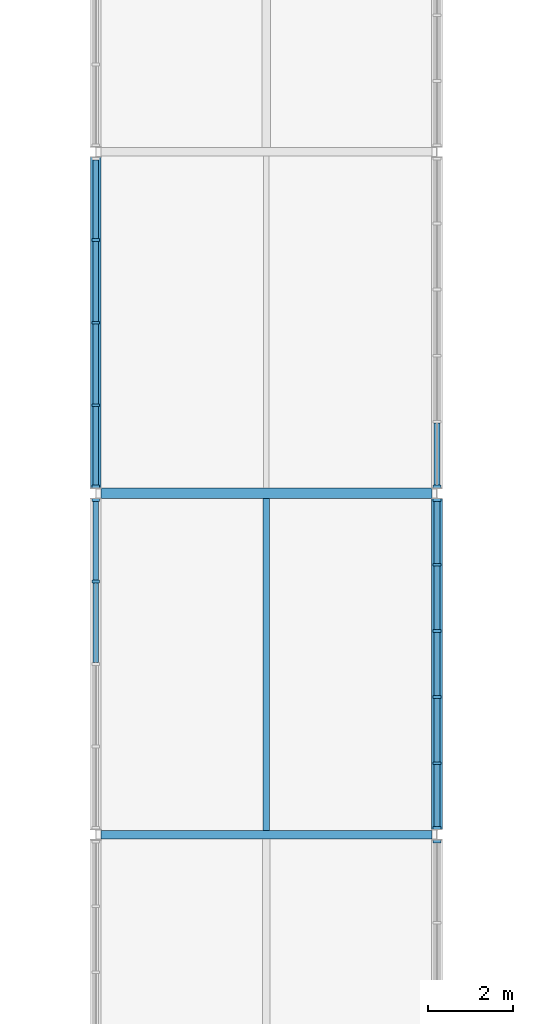
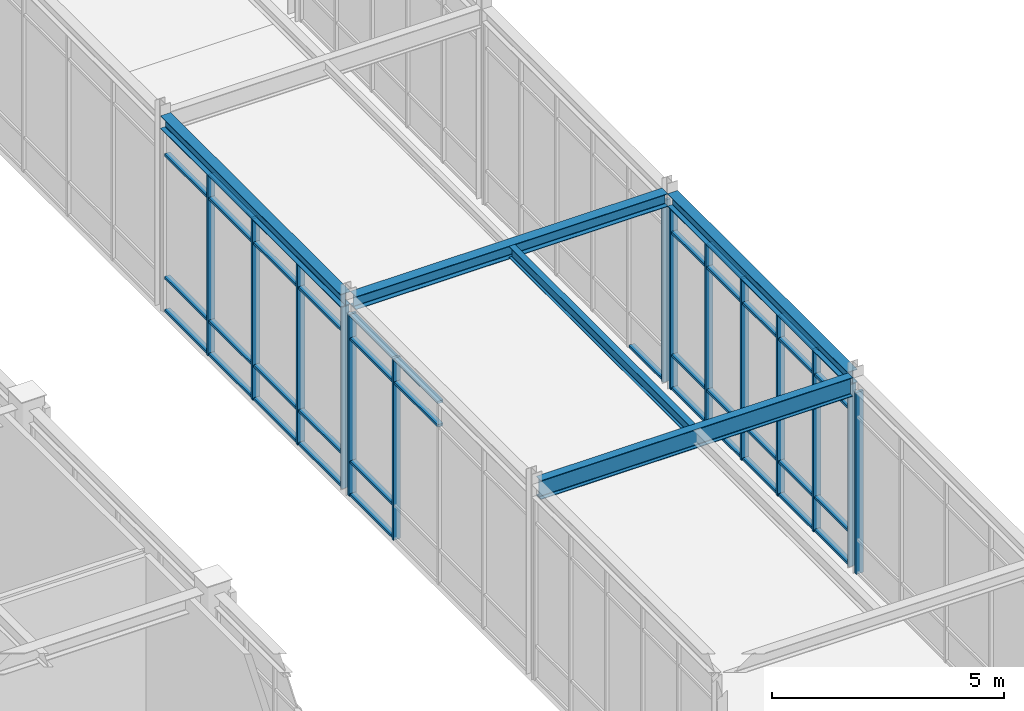
# One storey, part 31 of 108: 57 members, 5 beams, 5 elements without a shape of their own.
"""IFC4 building model written with IfcOpenShell, lengths in metres."""

from ifc_helpers import new_model, si_unit, direction, frame, origin, origin_2d, place, context, subcontext, project, spatial, rectangle, i_section, extrude, material, material_profile, profile_set, type_object, element, aggregate, save


model = new_model("IFC4")

# Units and contexts
model_context = context("Model", 3, precision=1e-05, world=origin(), true_north=direction((0.0, 1.0)))
body_context = subcontext(model_context, "Body", "Model", "MODEL_VIEW")
ifc_project = project(units=[si_unit("LENGTHUNIT", "METRE"), si_unit("AREAUNIT", "SQUARE_METRE"), si_unit("VOLUMEUNIT", "CUBIC_METRE"), si_unit("PLANEANGLEUNIT", "RADIAN"), si_unit("MASSUNIT", "GRAM", prefix="KILO")], contexts=[model_context])

# Site, building, storey
site_placement = place(None, origin())
site = spatial("IfcSite", under=ifc_project, at=site_placement, CompositionType="ELEMENT")
building_placement = place(site_placement, origin())
building = spatial("IfcBuilding", under=site, at=building_placement, Name="Zhaolan Boulevard Law Courts", CompositionType="ELEMENT")
storey_placement = place(building_placement, frame((0.0, 0.0, 10.800048828125)))
storey = spatial("IfcBuildingStorey", under=building, at=storey_placement, Name="L02", CompositionType="ELEMENT", Elevation=10.800048828125)

# Curtain wall, members
ifc_material_1 = material(Name="Thermally broken aluminium and low-E glazing", Category="aluminium")
curtain_wall_type_1 = type_object("IfcCurtainWallType", Name="CURTAIN WALL M21", PredefinedType="USERDEFINED", material=ifc_material_1)
curtain_wall_1_placement = place(storey_placement, origin())
curtain_wall_1 = element("IfcCurtainWall", 1, at=curtain_wall_1_placement, inside=storey, type_object=curtain_wall_type_1, Name="Curtain Wall CW-L02-093", ObjectType="CURTAIN WALL", PredefinedType="USERDEFINED")
ifc_material_2 = material(Name="Fluorocarbon-coated aluminium 6063-T6", Category="aluminium")
ifc_material_profile_1 = material_profile(ifc_material_2, rectangle(XDim=0.179931640625, YDim=0.06494140625, at=origin_2d()), Name="AL65x180")
ifc_profile_set_1 = profile_set([ifc_material_profile_1], Name="Fluorocarbon-coated aluminium 6063-T6")
member_type_1 = type_object("IfcMemberType", Name="CWMULLION 65X180", PredefinedType="MULLION", material=ifc_profile_set_1)
member_1_placement = place(storey_placement, frame((52.0, 45.840576171875, 0.0), z_axis=(0.0, 0.0, 1.0), x_axis=(1.0, 0.0, 0.0)))
member_1 = element("IfcMember", 2, at=member_1_placement, type_object=member_type_1, Name="CW-L02-093 mullion 1", PredefinedType="MULLION", context=body_context, shape_type="SweptSolid", body=[
    extrude(rectangle(XDim=0.179931640625, YDim=0.06494140625, at=origin_2d()), origin(), (0.0, 0.0, 1.0), 4.782958984375),
])
member_2_placement = place(storey_placement, frame((52.0, 43.9365234375, 0.0), z_axis=(0.0, 0.0, 1.0), x_axis=(1.0, 0.0, 0.0)))
member_2 = element("IfcMember", 3, at=member_2_placement, type_object=member_type_1, Name="CW-L02-093 mullion 2", PredefinedType="MULLION", context=body_context, shape_type="SweptSolid", body=[
    extrude(rectangle(XDim=0.179931640625, YDim=0.06494140625, at=origin_2d()), origin(), (0.0, 0.0, 1.0), 4.782958984375),
])

ifc_material_3 = material(Name="Thermally broken aluminium and low-E glazing", Category="aluminium")
curtain_wall_type_2 = type_object("IfcCurtainWallType", Name="CURTAIN WALL M22", PredefinedType="USERDEFINED", material=ifc_material_3)
curtain_wall_2_placement = place(storey_placement, origin())
curtain_wall_2 = element("IfcCurtainWall", 4, at=curtain_wall_2_placement, inside=storey, type_object=curtain_wall_type_2, Name="Curtain Wall CW-L02-094", ObjectType="CURTAIN WALL", PredefinedType="USERDEFINED")
member_3_placement = place(storey_placement, frame((52.0, 51.9365234375, 0.0), z_axis=(0.0, 0.0, 1.0), x_axis=(1.0, 0.0, 0.0)))
member_3 = element("IfcMember", 5, at=member_3_placement, type_object=member_type_1, Name="CW-L02-094 mullion 2", PredefinedType="MULLION", context=body_context, shape_type="SweptSolid", body=[
    extrude(rectangle(XDim=0.179931640625, YDim=0.06494140625, at=origin_2d()), origin(), (0.0, 0.0, 1.0), 4.782958984375),
])
member_4_placement = place(storey_placement, frame((52.0, 50.0, 0.0), z_axis=(0.0, 0.0, 1.0), x_axis=(1.0, 0.0, 0.0)))
member_4 = element("IfcMember", 6, at=member_4_placement, type_object=member_type_1, Name="CW-L02-094 mullion 3", PredefinedType="MULLION", context=body_context, shape_type="SweptSolid", body=[
    extrude(rectangle(XDim=0.179931640625, YDim=0.06494140625, at=origin_2d()), origin(), (0.0, 0.0, 1.0), 4.782958984375),
])
member_5_placement = place(storey_placement, frame((52.0, 48.0634765625, 0.0), z_axis=(0.0, 0.0, 1.0), x_axis=(1.0, 0.0, 0.0)))
member_5 = element("IfcMember", 7, at=member_5_placement, type_object=member_type_1, Name="CW-L02-094 mullion 4", PredefinedType="MULLION", context=body_context, shape_type="SweptSolid", body=[
    extrude(rectangle(XDim=0.179931640625, YDim=0.06494140625, at=origin_2d()), origin(), (0.0, 0.0, 1.0), 4.782958984375),
])
member_6_placement = place(storey_placement, frame((52.0, 46.159423828125, 0.0), z_axis=(0.0, 0.0, 1.0), x_axis=(1.0, 0.0, 0.0)))
member_6 = element("IfcMember", 8, at=member_6_placement, type_object=member_type_1, Name="CW-L02-094 mullion 5", PredefinedType="MULLION", context=body_context, shape_type="SweptSolid", body=[
    extrude(rectangle(XDim=0.179931640625, YDim=0.06494140625, at=origin_2d()), origin(), (0.0, 0.0, 1.0), 4.782958984375),
])

# Curtain wall, member
ifc_material_4 = material(Name="Thermally broken aluminium and low-E glazing", Category="aluminium")
curtain_wall_type_3 = type_object("IfcCurtainWallType", Name="CURTAIN WALL M24", PredefinedType="USERDEFINED", material=ifc_material_4)
curtain_wall_3_placement = place(storey_placement, origin())
curtain_wall_3 = element("IfcCurtainWall", 9, at=curtain_wall_3_placement, inside=storey, type_object=curtain_wall_type_3, Name="Curtain Wall CW-L02-096", ObjectType="CURTAIN WALL", PredefinedType="USERDEFINED")
member_7_placement = place(storey_placement, frame((60.0, 37.840576171875, 0.0), z_axis=(0.0, 0.0, 1.0), x_axis=(-1.0, 0.0, 0.0)))
member_7 = element("IfcMember", 10, at=member_7_placement, type_object=member_type_1, Name="CW-L02-096 mullion 5", PredefinedType="MULLION", context=body_context, shape_type="SweptSolid", body=[
    extrude(rectangle(XDim=0.179931640625, YDim=0.06494140625, at=origin_2d()), origin(), (0.0, 0.0, 1.0), 4.782958984375),
])
aggregate(curtain_wall_3, [member_7])

# Curtain wall, members
ifc_material_5 = material(Name="Thermally broken aluminium and low-E glazing", Category="aluminium")
curtain_wall_type_4 = type_object("IfcCurtainWallType", Name="CURTAIN WALL M1", PredefinedType="USERDEFINED", material=ifc_material_5)
curtain_wall_4_placement = place(storey_placement, origin())
curtain_wall_4 = element("IfcCurtainWall", 11, at=curtain_wall_4_placement, inside=storey, type_object=curtain_wall_type_4, Name="Curtain Wall CW-L02-097", ObjectType="CURTAIN WALL", PredefinedType="USERDEFINED")
member_8_placement = place(storey_placement, frame((60.0, 38.159423828125, 0.0), z_axis=(0.0, 0.0, 1.0), x_axis=(-1.0, 0.0, 0.0)))
member_8 = element("IfcMember", 12, at=member_8_placement, type_object=member_type_1, Name="CW-L02-097 mullion 1", PredefinedType="MULLION", context=body_context, shape_type="SweptSolid", body=[
    extrude(rectangle(XDim=0.179931640625, YDim=0.06494140625, at=origin_2d()), origin(), (0.0, 0.0, 1.0), 4.782958984375),
])
member_9_placement = place(storey_placement, frame((60.0, 39.67626953125, 0.0), z_axis=(0.0, 0.0, 1.0), x_axis=(-1.0, 0.0, 0.0)))
member_9 = element("IfcMember", 13, at=member_9_placement, type_object=member_type_1, Name="CW-L02-097 mullion 2", PredefinedType="MULLION", context=body_context, shape_type="SweptSolid", body=[
    extrude(rectangle(XDim=0.179931640625, YDim=0.06494140625, at=origin_2d()), origin(), (0.0, 0.0, 1.0), 4.782958984375),
])
member_10_placement = place(storey_placement, frame((60.0, 41.225341796875, 0.0), z_axis=(0.0, 0.0, 1.0), x_axis=(-1.0, 0.0, 0.0)))
member_10 = element("IfcMember", 14, at=member_10_placement, type_object=member_type_1, Name="CW-L02-097 mullion 3", PredefinedType="MULLION", context=body_context, shape_type="SweptSolid", body=[
    extrude(rectangle(XDim=0.179931640625, YDim=0.06494140625, at=origin_2d()), origin(), (0.0, 0.0, 1.0), 4.782958984375),
])
member_11_placement = place(storey_placement, frame((60.0, 42.774658203125, 0.0), z_axis=(0.0, 0.0, 1.0), x_axis=(-1.0, 0.0, 0.0)))
member_11 = element("IfcMember", 15, at=member_11_placement, type_object=member_type_1, Name="CW-L02-097 mullion 4", PredefinedType="MULLION", context=body_context, shape_type="SweptSolid", body=[
    extrude(rectangle(XDim=0.179931640625, YDim=0.06494140625, at=origin_2d()), origin(), (0.0, 0.0, 1.0), 4.782958984375),
])
member_12_placement = place(storey_placement, frame((60.0, 44.32373046875, 0.0), z_axis=(0.0, 0.0, 1.0), x_axis=(-1.0, 0.0, 0.0)))
member_12 = element("IfcMember", 16, at=member_12_placement, type_object=member_type_1, Name="CW-L02-097 mullion 5", PredefinedType="MULLION", context=body_context, shape_type="SweptSolid", body=[
    extrude(rectangle(XDim=0.179931640625, YDim=0.06494140625, at=origin_2d()), origin(), (0.0, 0.0, 1.0), 4.782958984375),
])
member_13_placement = place(storey_placement, frame((60.0, 45.840576171875, 0.0), z_axis=(0.0, 0.0, 1.0), x_axis=(-1.0, 0.0, 0.0)))
member_13 = element("IfcMember", 17, at=member_13_placement, type_object=member_type_1, Name="CW-L02-097 mullion 6", PredefinedType="MULLION", context=body_context, shape_type="SweptSolid", body=[
    extrude(rectangle(XDim=0.179931640625, YDim=0.06494140625, at=origin_2d()), origin(), (0.0, 0.0, 1.0), 4.782958984375),
])

# Curtain wall, member
ifc_material_6 = material(Name="Thermally broken aluminium and low-E glazing", Category="aluminium")
curtain_wall_type_5 = type_object("IfcCurtainWallType", Name="CURTAIN WALL M2", PredefinedType="USERDEFINED", material=ifc_material_6)
curtain_wall_5_placement = place(storey_placement, origin())
curtain_wall_5 = element("IfcCurtainWall", 18, at=curtain_wall_5_placement, inside=storey, type_object=curtain_wall_type_5, Name="Curtain Wall CW-L02-098", ObjectType="CURTAIN WALL", PredefinedType="USERDEFINED")
member_14_placement = place(storey_placement, frame((60.0, 46.159423828125, 0.0), z_axis=(0.0, 0.0, 1.0), x_axis=(-1.0, 0.0, 0.0)))
member_14 = element("IfcMember", 19, at=member_14_placement, type_object=member_type_1, Name="CW-L02-098 mullion 1", PredefinedType="MULLION", context=body_context, shape_type="SweptSolid", body=[
    extrude(rectangle(XDim=0.179931640625, YDim=0.06494140625, at=origin_2d()), origin(), (0.0, 0.0, 1.0), 4.782958984375),
])

# Member
ifc_material_7 = material(Name="Fluorocarbon-coated aluminium 6063-T6", Category="aluminium")
ifc_material_profile_2 = material_profile(ifc_material_7, rectangle(XDim=0.139892578125, YDim=0.06494140625, at=origin_2d()), Name="AL65x140")
ifc_profile_set_2 = profile_set([ifc_material_profile_2], Name="Fluorocarbon-coated aluminium 6063-T6")
member_type_2 = type_object("IfcMemberType", Name="CWTRANSOM 65X140", PredefinedType="USERDEFINED", material=ifc_profile_set_2)
member_15_placement = place(storey_placement, frame((52.0, 45.80810546875, 0.032470703125), z_axis=(0.0, -1.0, 0.0), x_axis=(1.0, 0.0, 0.0)))
member_15 = element("IfcMember", 20, at=member_15_placement, type_object=member_type_2, Name="CW-L02-093 transom 1.1", ObjectType="TRANSOM", PredefinedType="USERDEFINED", context=body_context, shape_type="SweptSolid", body=[
    extrude(rectangle(XDim=0.139892578125, YDim=0.06494140625, at=origin_2d()), origin(), (0.0, 0.0, 1.0), 1.839111328125),
])

member_16_placement = place(storey_placement, frame((52.0, 45.80810546875, 0.89990234375), z_axis=(0.0, -1.0, 0.0), x_axis=(1.0, 0.0, 0.0)))
member_16 = element("IfcMember", 21, at=member_16_placement, type_object=member_type_2, Name="CW-L02-093 transom 1.2", ObjectType="TRANSOM", PredefinedType="USERDEFINED", context=body_context, shape_type="SweptSolid", body=[
    extrude(rectangle(XDim=0.139892578125, YDim=0.06494140625, at=origin_2d()), origin(), (0.0, 0.0, 1.0), 1.839111328125),
])

member_17_placement = place(storey_placement, frame((52.0, 45.80810546875, 4.133056640625), z_axis=(0.0, -1.0, 0.0), x_axis=(1.0, 0.0, 0.0)))
member_17 = element("IfcMember", 22, at=member_17_placement, type_object=member_type_2, Name="CW-L02-093 transom 1.3", ObjectType="TRANSOM", PredefinedType="USERDEFINED", context=body_context, shape_type="SweptSolid", body=[
    extrude(rectangle(XDim=0.139892578125, YDim=0.06494140625, at=origin_2d()), origin(), (0.0, 0.0, 1.0), 1.839111328125),
])

member_18_placement = place(storey_placement, frame((52.0, 45.80810546875, 4.75048828125), z_axis=(0.0, -1.0, 0.0), x_axis=(1.0, 0.0, 0.0)))
member_18 = element("IfcMember", 23, at=member_18_placement, type_object=member_type_2, Name="CW-L02-093 transom 1.4", ObjectType="TRANSOM", PredefinedType="USERDEFINED", context=body_context, shape_type="SweptSolid", body=[
    extrude(rectangle(XDim=0.139892578125, YDim=0.06494140625, at=origin_2d()), origin(), (0.0, 0.0, 1.0), 1.839111328125),
])

member_19_placement = place(storey_placement, frame((52.0, 43.904052734375, 4.133056640625), z_axis=(0.0, -1.0, 0.0), x_axis=(1.0, 0.0, 0.0)))
member_19 = element("IfcMember", 24, at=member_19_placement, type_object=member_type_2, Name="CW-L02-093 transom 2.3", ObjectType="TRANSOM", PredefinedType="USERDEFINED", context=body_context, shape_type="SweptSolid", body=[
    extrude(rectangle(XDim=0.139892578125, YDim=0.06494140625, at=origin_2d()), origin(), (0.0, 0.0, 1.0), 1.87158203125),
])

member_20_placement = place(storey_placement, frame((52.0, 43.904052734375, 4.75048828125), z_axis=(0.0, -1.0, 0.0), x_axis=(1.0, 0.0, 0.0)))
member_20 = element("IfcMember", 25, at=member_20_placement, type_object=member_type_2, Name="CW-L02-093 transom 2.4", ObjectType="TRANSOM", PredefinedType="USERDEFINED", context=body_context, shape_type="SweptSolid", body=[
    extrude(rectangle(XDim=0.139892578125, YDim=0.06494140625, at=origin_2d()), origin(), (0.0, 0.0, 1.0), 1.87158203125),
])

aggregate(curtain_wall_1, [member_1, member_2, member_15, member_16, member_17, member_18, member_19, member_20])

member_21_placement = place(storey_placement, frame((52.0, 53.80810546875, 0.032470703125), z_axis=(0.0, -1.0, 0.0), x_axis=(1.0, 0.0, 0.0)))
member_21 = element("IfcMember", 26, at=member_21_placement, type_object=member_type_2, Name="CW-L02-094 transom 1.1", ObjectType="TRANSOM", PredefinedType="USERDEFINED", context=body_context, shape_type="SweptSolid", body=[
    extrude(rectangle(XDim=0.139892578125, YDim=0.06494140625, at=origin_2d()), origin(), (0.0, 0.0, 1.0), 1.839111328125),
])

member_22_placement = place(storey_placement, frame((52.0, 53.80810546875, 0.89990234375), z_axis=(0.0, -1.0, 0.0), x_axis=(1.0, 0.0, 0.0)))
member_22 = element("IfcMember", 27, at=member_22_placement, type_object=member_type_2, Name="CW-L02-094 transom 1.2", ObjectType="TRANSOM", PredefinedType="USERDEFINED", context=body_context, shape_type="SweptSolid", body=[
    extrude(rectangle(XDim=0.139892578125, YDim=0.06494140625, at=origin_2d()), origin(), (0.0, 0.0, 1.0), 1.839111328125),
])

member_23_placement = place(storey_placement, frame((52.0, 53.80810546875, 4.133056640625), z_axis=(0.0, -1.0, 0.0), x_axis=(1.0, 0.0, 0.0)))
member_23 = element("IfcMember", 28, at=member_23_placement, type_object=member_type_2, Name="CW-L02-094 transom 1.3", ObjectType="TRANSOM", PredefinedType="USERDEFINED", context=body_context, shape_type="SweptSolid", body=[
    extrude(rectangle(XDim=0.139892578125, YDim=0.06494140625, at=origin_2d()), origin(), (0.0, 0.0, 1.0), 1.839111328125),
])

member_24_placement = place(storey_placement, frame((52.0, 53.80810546875, 4.75048828125), z_axis=(0.0, -1.0, 0.0), x_axis=(1.0, 0.0, 0.0)))
member_24 = element("IfcMember", 29, at=member_24_placement, type_object=member_type_2, Name="CW-L02-094 transom 1.4", ObjectType="TRANSOM", PredefinedType="USERDEFINED", context=body_context, shape_type="SweptSolid", body=[
    extrude(rectangle(XDim=0.139892578125, YDim=0.06494140625, at=origin_2d()), origin(), (0.0, 0.0, 1.0), 1.839111328125),
])

member_25_placement = place(storey_placement, frame((52.0, 51.904052734375, 0.032470703125), z_axis=(0.0, -1.0, 0.0), x_axis=(1.0, 0.0, 0.0)))
member_25 = element("IfcMember", 30, at=member_25_placement, type_object=member_type_2, Name="CW-L02-094 transom 2.1", ObjectType="TRANSOM", PredefinedType="USERDEFINED", context=body_context, shape_type="SweptSolid", body=[
    extrude(rectangle(XDim=0.139892578125, YDim=0.06494140625, at=origin_2d()), origin(), (0.0, 0.0, 1.0), 1.87158203125),
])

member_26_placement = place(storey_placement, frame((52.0, 51.904052734375, 0.89990234375), z_axis=(0.0, -1.0, 0.0), x_axis=(1.0, 0.0, 0.0)))
member_26 = element("IfcMember", 31, at=member_26_placement, type_object=member_type_2, Name="CW-L02-094 transom 2.2", ObjectType="TRANSOM", PredefinedType="USERDEFINED", context=body_context, shape_type="SweptSolid", body=[
    extrude(rectangle(XDim=0.139892578125, YDim=0.06494140625, at=origin_2d()), origin(), (0.0, 0.0, 1.0), 1.87158203125),
])

member_27_placement = place(storey_placement, frame((52.0, 51.904052734375, 4.133056640625), z_axis=(0.0, -1.0, 0.0), x_axis=(1.0, 0.0, 0.0)))
member_27 = element("IfcMember", 32, at=member_27_placement, type_object=member_type_2, Name="CW-L02-094 transom 2.3", ObjectType="TRANSOM", PredefinedType="USERDEFINED", context=body_context, shape_type="SweptSolid", body=[
    extrude(rectangle(XDim=0.139892578125, YDim=0.06494140625, at=origin_2d()), origin(), (0.0, 0.0, 1.0), 1.87158203125),
])

member_28_placement = place(storey_placement, frame((52.0, 51.904052734375, 4.75048828125), z_axis=(0.0, -1.0, 0.0), x_axis=(1.0, 0.0, 0.0)))
member_28 = element("IfcMember", 33, at=member_28_placement, type_object=member_type_2, Name="CW-L02-094 transom 2.4", ObjectType="TRANSOM", PredefinedType="USERDEFINED", context=body_context, shape_type="SweptSolid", body=[
    extrude(rectangle(XDim=0.139892578125, YDim=0.06494140625, at=origin_2d()), origin(), (0.0, 0.0, 1.0), 1.87158203125),
])

member_29_placement = place(storey_placement, frame((52.0, 49.967529296875, 0.032470703125), z_axis=(0.0, -1.0, 0.0), x_axis=(1.0, 0.0, 0.0)))
member_29 = element("IfcMember", 34, at=member_29_placement, type_object=member_type_2, Name="CW-L02-094 transom 3.1", ObjectType="TRANSOM", PredefinedType="USERDEFINED", context=body_context, shape_type="SweptSolid", body=[
    extrude(rectangle(XDim=0.139892578125, YDim=0.06494140625, at=origin_2d()), origin(), (0.0, 0.0, 1.0), 1.87158203125),
])

member_30_placement = place(storey_placement, frame((52.0, 49.967529296875, 0.89990234375), z_axis=(0.0, -1.0, 0.0), x_axis=(1.0, 0.0, 0.0)))
member_30 = element("IfcMember", 35, at=member_30_placement, type_object=member_type_2, Name="CW-L02-094 transom 3.2", ObjectType="TRANSOM", PredefinedType="USERDEFINED", context=body_context, shape_type="SweptSolid", body=[
    extrude(rectangle(XDim=0.139892578125, YDim=0.06494140625, at=origin_2d()), origin(), (0.0, 0.0, 1.0), 1.87158203125),
])

member_31_placement = place(storey_placement, frame((52.0, 49.967529296875, 4.133056640625), z_axis=(0.0, -1.0, 0.0), x_axis=(1.0, 0.0, 0.0)))
member_31 = element("IfcMember", 36, at=member_31_placement, type_object=member_type_2, Name="CW-L02-094 transom 3.3", ObjectType="TRANSOM", PredefinedType="USERDEFINED", context=body_context, shape_type="SweptSolid", body=[
    extrude(rectangle(XDim=0.139892578125, YDim=0.06494140625, at=origin_2d()), origin(), (0.0, 0.0, 1.0), 1.87158203125),
])

member_32_placement = place(storey_placement, frame((52.0, 49.967529296875, 4.75048828125), z_axis=(0.0, -1.0, 0.0), x_axis=(1.0, 0.0, 0.0)))
member_32 = element("IfcMember", 37, at=member_32_placement, type_object=member_type_2, Name="CW-L02-094 transom 3.4", ObjectType="TRANSOM", PredefinedType="USERDEFINED", context=body_context, shape_type="SweptSolid", body=[
    extrude(rectangle(XDim=0.139892578125, YDim=0.06494140625, at=origin_2d()), origin(), (0.0, 0.0, 1.0), 1.87158203125),
])

member_33_placement = place(storey_placement, frame((52.0, 48.031005859375, 0.032470703125), z_axis=(0.0, -1.0, 0.0), x_axis=(1.0, 0.0, 0.0)))
member_33 = element("IfcMember", 38, at=member_33_placement, type_object=member_type_2, Name="CW-L02-094 transom 4.1", ObjectType="TRANSOM", PredefinedType="USERDEFINED", context=body_context, shape_type="SweptSolid", body=[
    extrude(rectangle(XDim=0.139892578125, YDim=0.06494140625, at=origin_2d()), origin(), (0.0, 0.0, 1.0), 1.839111328125),
])

member_34_placement = place(storey_placement, frame((52.0, 48.031005859375, 0.89990234375), z_axis=(0.0, -1.0, 0.0), x_axis=(1.0, 0.0, 0.0)))
member_34 = element("IfcMember", 39, at=member_34_placement, type_object=member_type_2, Name="CW-L02-094 transom 4.2", ObjectType="TRANSOM", PredefinedType="USERDEFINED", context=body_context, shape_type="SweptSolid", body=[
    extrude(rectangle(XDim=0.139892578125, YDim=0.06494140625, at=origin_2d()), origin(), (0.0, 0.0, 1.0), 1.839111328125),
])

member_35_placement = place(storey_placement, frame((52.0, 48.031005859375, 4.133056640625), z_axis=(0.0, -1.0, 0.0), x_axis=(1.0, 0.0, 0.0)))
member_35 = element("IfcMember", 40, at=member_35_placement, type_object=member_type_2, Name="CW-L02-094 transom 4.3", ObjectType="TRANSOM", PredefinedType="USERDEFINED", context=body_context, shape_type="SweptSolid", body=[
    extrude(rectangle(XDim=0.139892578125, YDim=0.06494140625, at=origin_2d()), origin(), (0.0, 0.0, 1.0), 1.839111328125),
])

member_36_placement = place(storey_placement, frame((52.0, 48.031005859375, 4.75048828125), z_axis=(0.0, -1.0, 0.0), x_axis=(1.0, 0.0, 0.0)))
member_36 = element("IfcMember", 41, at=member_36_placement, type_object=member_type_2, Name="CW-L02-094 transom 4.4", ObjectType="TRANSOM", PredefinedType="USERDEFINED", context=body_context, shape_type="SweptSolid", body=[
    extrude(rectangle(XDim=0.139892578125, YDim=0.06494140625, at=origin_2d()), origin(), (0.0, 0.0, 1.0), 1.839111328125),
])

aggregate(curtain_wall_2, [member_3, member_4, member_5, member_6, member_21, member_22, member_23, member_24, member_25, member_26, member_27, member_28, member_29, member_30, member_31, member_32, member_33, member_34, member_35, member_36])

member_37_placement = place(storey_placement, frame((60.0, 38.19189453125, 0.032470703125), z_axis=(0.0, 1.0, 0.0), x_axis=(-1.0, 0.0, 0.0)))
member_37 = element("IfcMember", 42, at=member_37_placement, type_object=member_type_2, Name="CW-L02-097 transom 1.1", ObjectType="TRANSOM", PredefinedType="USERDEFINED", context=body_context, shape_type="SweptSolid", body=[
    extrude(rectangle(XDim=0.139892578125, YDim=0.06494140625, at=origin_2d()), origin(), (0.0, 0.0, 1.0), 1.451904296875),
])

member_38_placement = place(storey_placement, frame((60.0, 38.19189453125, 0.89990234375), z_axis=(0.0, 1.0, 0.0), x_axis=(-1.0, 0.0, 0.0)))
member_38 = element("IfcMember", 43, at=member_38_placement, type_object=member_type_2, Name="CW-L02-097 transom 1.2", ObjectType="TRANSOM", PredefinedType="USERDEFINED", context=body_context, shape_type="SweptSolid", body=[
    extrude(rectangle(XDim=0.139892578125, YDim=0.06494140625, at=origin_2d()), origin(), (0.0, 0.0, 1.0), 1.451904296875),
])

member_39_placement = place(storey_placement, frame((60.0, 38.19189453125, 4.133056640625), z_axis=(0.0, 1.0, 0.0), x_axis=(-1.0, 0.0, 0.0)))
member_39 = element("IfcMember", 44, at=member_39_placement, type_object=member_type_2, Name="CW-L02-097 transom 1.3", ObjectType="TRANSOM", PredefinedType="USERDEFINED", context=body_context, shape_type="SweptSolid", body=[
    extrude(rectangle(XDim=0.139892578125, YDim=0.06494140625, at=origin_2d()), origin(), (0.0, 0.0, 1.0), 1.451904296875),
])

member_40_placement = place(storey_placement, frame((60.0, 38.19189453125, 4.75048828125), z_axis=(0.0, 1.0, 0.0), x_axis=(-1.0, 0.0, 0.0)))
member_40 = element("IfcMember", 45, at=member_40_placement, type_object=member_type_2, Name="CW-L02-097 transom 1.4", ObjectType="TRANSOM", PredefinedType="USERDEFINED", context=body_context, shape_type="SweptSolid", body=[
    extrude(rectangle(XDim=0.139892578125, YDim=0.06494140625, at=origin_2d()), origin(), (0.0, 0.0, 1.0), 1.451904296875),
])

member_41_placement = place(storey_placement, frame((60.0, 39.708740234375, 0.032470703125), z_axis=(0.0, 1.0, 0.0), x_axis=(-1.0, 0.0, 0.0)))
member_41 = element("IfcMember", 46, at=member_41_placement, type_object=member_type_2, Name="CW-L02-097 transom 2.1", ObjectType="TRANSOM", PredefinedType="USERDEFINED", context=body_context, shape_type="SweptSolid", body=[
    extrude(rectangle(XDim=0.139892578125, YDim=0.06494140625, at=origin_2d()), origin(), (0.0, 0.0, 1.0), 1.484130859375),
])

member_42_placement = place(storey_placement, frame((60.0, 39.708740234375, 0.89990234375), z_axis=(0.0, 1.0, 0.0), x_axis=(-1.0, 0.0, 0.0)))
member_42 = element("IfcMember", 47, at=member_42_placement, type_object=member_type_2, Name="CW-L02-097 transom 2.2", ObjectType="TRANSOM", PredefinedType="USERDEFINED", context=body_context, shape_type="SweptSolid", body=[
    extrude(rectangle(XDim=0.139892578125, YDim=0.06494140625, at=origin_2d()), origin(), (0.0, 0.0, 1.0), 1.484130859375),
])

member_43_placement = place(storey_placement, frame((60.0, 39.708740234375, 4.133056640625), z_axis=(0.0, 1.0, 0.0), x_axis=(-1.0, 0.0, 0.0)))
member_43 = element("IfcMember", 48, at=member_43_placement, type_object=member_type_2, Name="CW-L02-097 transom 2.3", ObjectType="TRANSOM", PredefinedType="USERDEFINED", context=body_context, shape_type="SweptSolid", body=[
    extrude(rectangle(XDim=0.139892578125, YDim=0.06494140625, at=origin_2d()), origin(), (0.0, 0.0, 1.0), 1.484130859375),
])

member_44_placement = place(storey_placement, frame((60.0, 39.708740234375, 4.75048828125), z_axis=(0.0, 1.0, 0.0), x_axis=(-1.0, 0.0, 0.0)))
member_44 = element("IfcMember", 49, at=member_44_placement, type_object=member_type_2, Name="CW-L02-097 transom 2.4", ObjectType="TRANSOM", PredefinedType="USERDEFINED", context=body_context, shape_type="SweptSolid", body=[
    extrude(rectangle(XDim=0.139892578125, YDim=0.06494140625, at=origin_2d()), origin(), (0.0, 0.0, 1.0), 1.484130859375),
])

member_45_placement = place(storey_placement, frame((60.0, 41.2578125, 0.032470703125), z_axis=(0.0, 1.0, 0.0), x_axis=(-1.0, 0.0, 0.0)))
member_45 = element("IfcMember", 50, at=member_45_placement, type_object=member_type_2, Name="CW-L02-097 transom 3.1", ObjectType="TRANSOM", PredefinedType="USERDEFINED", context=body_context, shape_type="SweptSolid", body=[
    extrude(rectangle(XDim=0.139892578125, YDim=0.06494140625, at=origin_2d()), origin(), (0.0, 0.0, 1.0), 1.484375),
])

member_46_placement = place(storey_placement, frame((60.0, 41.2578125, 0.89990234375), z_axis=(0.0, 1.0, 0.0), x_axis=(-1.0, 0.0, 0.0)))
member_46 = element("IfcMember", 51, at=member_46_placement, type_object=member_type_2, Name="CW-L02-097 transom 3.2", ObjectType="TRANSOM", PredefinedType="USERDEFINED", context=body_context, shape_type="SweptSolid", body=[
    extrude(rectangle(XDim=0.139892578125, YDim=0.06494140625, at=origin_2d()), origin(), (0.0, 0.0, 1.0), 1.484375),
])

member_47_placement = place(storey_placement, frame((60.0, 41.2578125, 4.133056640625), z_axis=(0.0, 1.0, 0.0), x_axis=(-1.0, 0.0, 0.0)))
member_47 = element("IfcMember", 52, at=member_47_placement, type_object=member_type_2, Name="CW-L02-097 transom 3.3", ObjectType="TRANSOM", PredefinedType="USERDEFINED", context=body_context, shape_type="SweptSolid", body=[
    extrude(rectangle(XDim=0.139892578125, YDim=0.06494140625, at=origin_2d()), origin(), (0.0, 0.0, 1.0), 1.484375),
])

member_48_placement = place(storey_placement, frame((60.0, 41.2578125, 4.75048828125), z_axis=(0.0, 1.0, 0.0), x_axis=(-1.0, 0.0, 0.0)))
member_48 = element("IfcMember", 53, at=member_48_placement, type_object=member_type_2, Name="CW-L02-097 transom 3.4", ObjectType="TRANSOM", PredefinedType="USERDEFINED", context=body_context, shape_type="SweptSolid", body=[
    extrude(rectangle(XDim=0.139892578125, YDim=0.06494140625, at=origin_2d()), origin(), (0.0, 0.0, 1.0), 1.484375),
])

member_49_placement = place(storey_placement, frame((60.0, 42.80712890625, 0.032470703125), z_axis=(0.0, 1.0, 0.0), x_axis=(-1.0, 0.0, 0.0)))
member_49 = element("IfcMember", 54, at=member_49_placement, type_object=member_type_2, Name="CW-L02-097 transom 4.1", ObjectType="TRANSOM", PredefinedType="USERDEFINED", context=body_context, shape_type="SweptSolid", body=[
    extrude(rectangle(XDim=0.139892578125, YDim=0.06494140625, at=origin_2d()), origin(), (0.0, 0.0, 1.0), 1.484130859375),
])

member_50_placement = place(storey_placement, frame((60.0, 42.80712890625, 0.89990234375), z_axis=(0.0, 1.0, 0.0), x_axis=(-1.0, 0.0, 0.0)))
member_50 = element("IfcMember", 55, at=member_50_placement, type_object=member_type_2, Name="CW-L02-097 transom 4.2", ObjectType="TRANSOM", PredefinedType="USERDEFINED", context=body_context, shape_type="SweptSolid", body=[
    extrude(rectangle(XDim=0.139892578125, YDim=0.06494140625, at=origin_2d()), origin(), (0.0, 0.0, 1.0), 1.484130859375),
])

member_51_placement = place(storey_placement, frame((60.0, 42.80712890625, 4.133056640625), z_axis=(0.0, 1.0, 0.0), x_axis=(-1.0, 0.0, 0.0)))
member_51 = element("IfcMember", 56, at=member_51_placement, type_object=member_type_2, Name="CW-L02-097 transom 4.3", ObjectType="TRANSOM", PredefinedType="USERDEFINED", context=body_context, shape_type="SweptSolid", body=[
    extrude(rectangle(XDim=0.139892578125, YDim=0.06494140625, at=origin_2d()), origin(), (0.0, 0.0, 1.0), 1.484130859375),
])

member_52_placement = place(storey_placement, frame((60.0, 42.80712890625, 4.75048828125), z_axis=(0.0, 1.0, 0.0), x_axis=(-1.0, 0.0, 0.0)))
member_52 = element("IfcMember", 57, at=member_52_placement, type_object=member_type_2, Name="CW-L02-097 transom 4.4", ObjectType="TRANSOM", PredefinedType="USERDEFINED", context=body_context, shape_type="SweptSolid", body=[
    extrude(rectangle(XDim=0.139892578125, YDim=0.06494140625, at=origin_2d()), origin(), (0.0, 0.0, 1.0), 1.484130859375),
])

member_53_placement = place(storey_placement, frame((60.0, 44.356201171875, 0.032470703125), z_axis=(0.0, 1.0, 0.0), x_axis=(-1.0, 0.0, 0.0)))
member_53 = element("IfcMember", 58, at=member_53_placement, type_object=member_type_2, Name="CW-L02-097 transom 5.1", ObjectType="TRANSOM", PredefinedType="USERDEFINED", context=body_context, shape_type="SweptSolid", body=[
    extrude(rectangle(XDim=0.139892578125, YDim=0.06494140625, at=origin_2d()), origin(), (0.0, 0.0, 1.0), 1.451904296875),
])

member_54_placement = place(storey_placement, frame((60.0, 44.356201171875, 0.89990234375), z_axis=(0.0, 1.0, 0.0), x_axis=(-1.0, 0.0, 0.0)))
member_54 = element("IfcMember", 59, at=member_54_placement, type_object=member_type_2, Name="CW-L02-097 transom 5.2", ObjectType="TRANSOM", PredefinedType="USERDEFINED", context=body_context, shape_type="SweptSolid", body=[
    extrude(rectangle(XDim=0.139892578125, YDim=0.06494140625, at=origin_2d()), origin(), (0.0, 0.0, 1.0), 1.451904296875),
])

member_55_placement = place(storey_placement, frame((60.0, 44.356201171875, 4.133056640625), z_axis=(0.0, 1.0, 0.0), x_axis=(-1.0, 0.0, 0.0)))
member_55 = element("IfcMember", 60, at=member_55_placement, type_object=member_type_2, Name="CW-L02-097 transom 5.3", ObjectType="TRANSOM", PredefinedType="USERDEFINED", context=body_context, shape_type="SweptSolid", body=[
    extrude(rectangle(XDim=0.139892578125, YDim=0.06494140625, at=origin_2d()), origin(), (0.0, 0.0, 1.0), 1.451904296875),
])

member_56_placement = place(storey_placement, frame((60.0, 44.356201171875, 4.75048828125), z_axis=(0.0, 1.0, 0.0), x_axis=(-1.0, 0.0, 0.0)))
member_56 = element("IfcMember", 61, at=member_56_placement, type_object=member_type_2, Name="CW-L02-097 transom 5.4", ObjectType="TRANSOM", PredefinedType="USERDEFINED", context=body_context, shape_type="SweptSolid", body=[
    extrude(rectangle(XDim=0.139892578125, YDim=0.06494140625, at=origin_2d()), origin(), (0.0, 0.0, 1.0), 1.451904296875),
])

aggregate(curtain_wall_4, [member_8, member_9, member_10, member_11, member_12, member_13, member_37, member_38, member_39, member_40, member_41, member_42, member_43, member_44, member_45, member_46, member_47, member_48, member_49, member_50, member_51, member_52, member_53, member_54, member_55, member_56])

member_57_placement = place(storey_placement, frame((60.0, 46.19189453125, 0.032470703125), z_axis=(0.0, 1.0, 0.0), x_axis=(-1.0, 0.0, 0.0)))
member_57 = element("IfcMember", 62, at=member_57_placement, type_object=member_type_2, Name="CW-L02-098 transom 1.1", ObjectType="TRANSOM", PredefinedType="USERDEFINED", context=body_context, shape_type="SweptSolid", body=[
    extrude(rectangle(XDim=0.139892578125, YDim=0.06494140625, at=origin_2d()), origin(), (0.0, 0.0, 1.0), 1.451904296875),
])

aggregate(curtain_wall_5, [member_14, member_57])

# Beams
ifc_material_8 = material(Name="Structural steel Q355B", Category="steel")
ifc_material_profile_3 = material_profile(ifc_material_8, i_section(OverallWidth=0.25, OverallDepth=0.340087890625, WebThickness=0.009033203125, FlangeThickness=0.013916015625, FilletRadius=0.01611328125, at=origin_2d()), Name="HM340x250")
ifc_profile_set_3 = profile_set([ifc_material_profile_3], Name="Structural steel Q355B")
beam_type_1 = type_object("IfcBeamType", Name="GIRDER HM340", PredefinedType="BEAM", material=ifc_profile_set_3)
for number, where, z_axis, x_axis, name in (
    (63, (52.0, 46.12109375, 4.968017578125), (0.0, 1.0, 0.0), (-1.0, 0.0, 0.0), "Beam BY-L03-7-G-H"),
    (64, (60.0, 38.12109375, 4.968017578125), (0.0, 1.0, 0.0), (-1.0, 0.0, 0.0), "Beam BY-L03-8-F-G"),
):
    element("IfcBeam", number, at=place(storey_placement, frame(where, z_axis=z_axis, x_axis=x_axis)), inside=storey, type_object=beam_type_1, Name=name, PredefinedType="BEAM", context=body_context, shape_type="SweptSolid", body=[
        extrude(i_section(OverallWidth=0.25, OverallDepth=0.340087890625, WebThickness=0.009033203125, FlangeThickness=0.013916015625, FilletRadius=0.01611328125, at=origin_2d()), origin(), (0.0, 0.0, 1.0), 7.7578125),
    ])
ifc_material_9 = material(Name="Structural steel Q355B", Category="steel")
ifc_material_profile_4 = material_profile(ifc_material_9, i_section(OverallWidth=0.199951171875, OverallDepth=0.5, WebThickness=0.010009765625, FlangeThickness=0.01611328125, FilletRadius=0.01806640625, at=origin_2d()), Name="HN500x200")
ifc_profile_set_4 = profile_set([ifc_material_profile_4], Name="Structural steel Q355B")
beam_type_2 = type_object("IfcBeamType", Name="GIRDER HN500", PredefinedType="BEAM", material=ifc_profile_set_4)
beam_1_placement = place(storey_placement, frame((52.12109375, 38.0, 4.887939453125), z_axis=(1.0, 0.0, 0.0), x_axis=(0.0, 1.0, 0.0)))
element("IfcBeam", 65, at=beam_1_placement, inside=storey, type_object=beam_type_2, Name="Beam BX-L03-7-8-F", PredefinedType="BEAM", context=body_context, shape_type="SweptSolid", body=[
    extrude(i_section(OverallWidth=0.199951171875, OverallDepth=0.5, WebThickness=0.010009765625, FlangeThickness=0.01611328125, FilletRadius=0.01806640625, at=origin_2d()), origin(), (0.0, 0.0, 1.0), 7.7578125),
])
ifc_material_10 = material(Name="Structural steel Q355B", Category="steel")
ifc_material_profile_5 = material_profile(ifc_material_10, i_section(OverallWidth=0.14990234375, OverallDepth=0.300048828125, WebThickness=0.006591796875, FlangeThickness=0.009033203125, FilletRadius=0.010986328125, at=origin_2d()), Name="HN300x150")
ifc_profile_set_5 = profile_set([ifc_material_profile_5], Name="Structural steel Q355B")
beam_type_3 = type_object("IfcBeamType", Name="JOIST HN300", PredefinedType="JOIST", material=ifc_profile_set_5)
beam_2_placement = place(storey_placement, frame((56.0, 38.095947265625, 4.988037109375), z_axis=(0.0, 1.0, 0.0), x_axis=(-1.0, 0.0, 0.0)))
element("IfcBeam", 66, at=beam_2_placement, inside=storey, type_object=beam_type_3, Name="Composite Joist J-L03-7F", PredefinedType="JOIST", context=body_context, shape_type="SweptSolid", body=[
    extrude(i_section(OverallWidth=0.14990234375, OverallDepth=0.300048828125, WebThickness=0.006591796875, FlangeThickness=0.009033203125, FilletRadius=0.010986328125, at=origin_2d()), origin(), (0.0, 0.0, 1.0), 7.782958984375),
])
ifc_material_11 = material(Name="Structural steel Q355B", Category="steel")
ifc_material_profile_6 = material_profile(ifc_material_11, i_section(OverallWidth=0.25, OverallDepth=0.340087890625, WebThickness=0.009033203125, FlangeThickness=0.013916015625, FilletRadius=0.01611328125, at=origin_2d()), Name="HM340x250")
ifc_profile_set_6 = profile_set([ifc_material_profile_6], Name="Structural steel Q355B")
beam_type_4 = type_object("IfcBeamType", Name="SPANDREL HM340", PredefinedType="SPANDREL", material=ifc_profile_set_6)
beam_3_placement = place(storey_placement, frame((52.12109375, 46.0, 4.968017578125), z_axis=(1.0, 0.0, 0.0), x_axis=(0.0, 1.0, 0.0)))
element("IfcBeam", 67, at=beam_3_placement, inside=storey, type_object=beam_type_4, Name="Beam BX-L03-7-8-G", PredefinedType="SPANDREL", context=body_context, shape_type="SweptSolid", body=[
    extrude(i_section(OverallWidth=0.25, OverallDepth=0.340087890625, WebThickness=0.009033203125, FlangeThickness=0.013916015625, FilletRadius=0.01611328125, at=origin_2d()), origin(), (0.0, 0.0, 1.0), 7.7578125),
])

save(model, "model.ifc")
